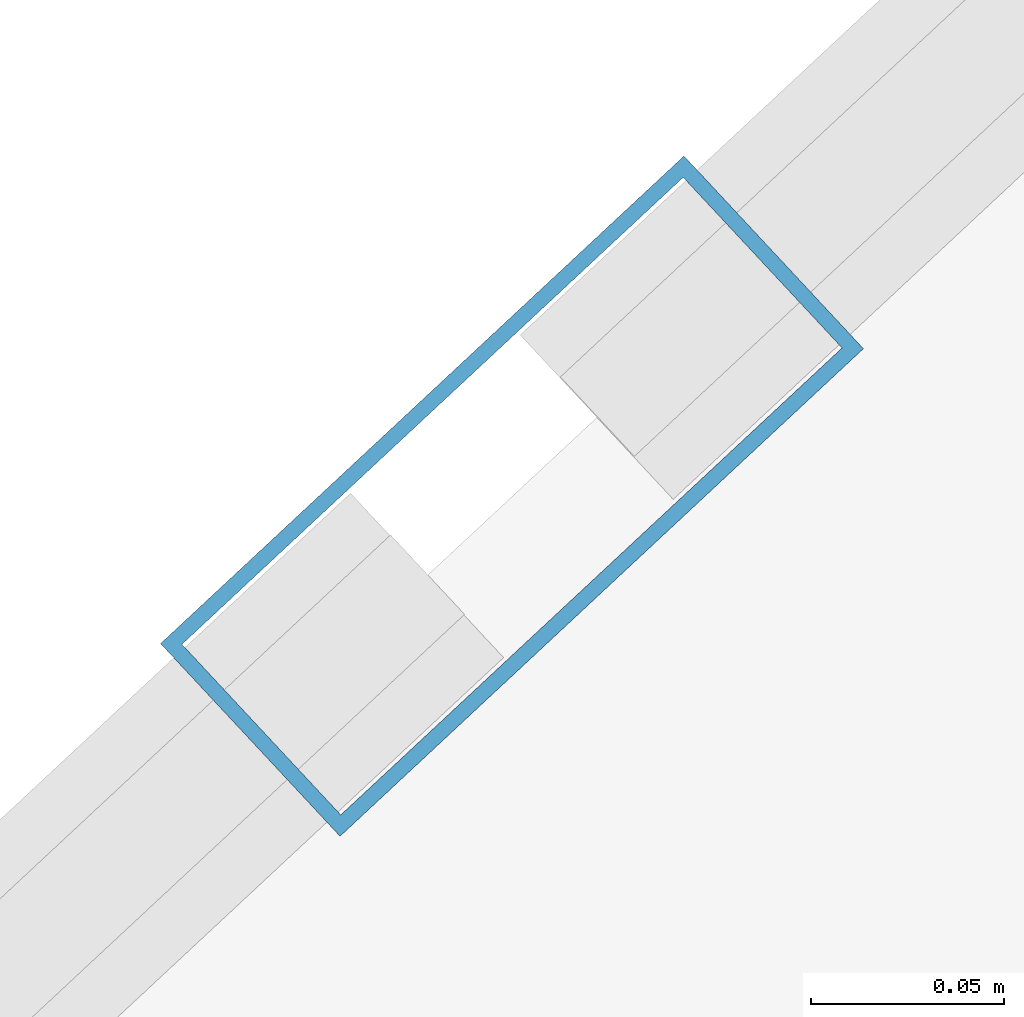
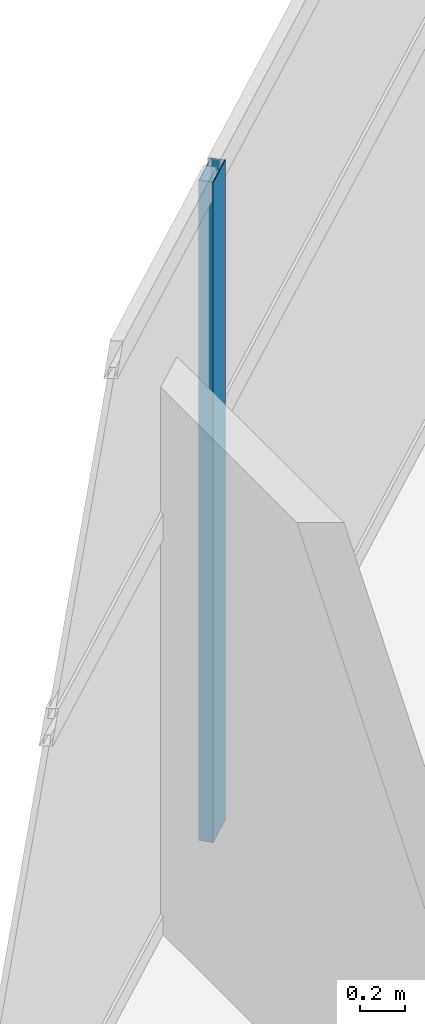
# One storey, part 12 of 27: 1 member, 1 element without a shape of its own.
"""IFC4 building model written with IfcOpenShell, lengths in metres."""

from ifc_helpers import new_model, si_unit, direction, frame, origin, origin_2d, place, context, subcontext, project, spatial, hollow_rectangle, extrude, material, layer, layer_set, material_profile, profile_set, type_object, element, aggregate, save


model = new_model("IFC4")

# Units and contexts
model_context = context("Model", 3, precision=1e-05, world=origin(), true_north=direction((0.0, 1.0)))
body_context = subcontext(model_context, "Body", "Model", "MODEL_VIEW")
ifc_project = project(units=[si_unit("LENGTHUNIT", "METRE"), si_unit("AREAUNIT", "SQUARE_METRE"), si_unit("VOLUMEUNIT", "CUBIC_METRE"), si_unit("PLANEANGLEUNIT", "RADIAN"), si_unit("MASSUNIT", "GRAM", prefix="KILO")], contexts=[model_context])

# Site, building, storey
site_placement = place(None, origin())
site = spatial("IfcSite", under=ifc_project, at=site_placement, CompositionType="ELEMENT")
building_placement = place(site_placement, origin())
building = spatial("IfcBuilding", under=site, at=building_placement, Name="Calvorn Quay Hotel", CompositionType="ELEMENT")
storey_placement = place(building_placement, frame((0.0, 0.0, 223.10009765625)))
storey = spatial("IfcBuildingStorey", under=building, at=storey_placement, Name="L55", CompositionType="ELEMENT", Elevation=223.10009765625)

# Curtain wall, member
ifc_material_1 = material(Name="Champagne Bronze Anodised Aluminium and Low-E Glass", Category="aluminium")
ifc_layer = layer(ifc_material_1, 0.219970703125)
ifc_layer_set = layer_set([ifc_layer], Name="CW-SYS-Z3")
curtain_wall_type = type_object("IfcCurtainWallType", Name="CW-SYS-Z3", PredefinedType="NOTDEFINED", material=ifc_layer_set)
curtain_wall_placement = place(storey_placement, origin())
curtain_wall = element("IfcCurtainWall", 1, at=curtain_wall_placement, inside=storey, type_object=curtain_wall_type, Name="Inner Court Curtain Wall L55-NE1", PredefinedType="NOTDEFINED")
ifc_material_2 = material(Name="Champagne Bronze Anodised Aluminium 6063-T6", Category="aluminium")
ifc_material_profile = material_profile(ifc_material_2, hollow_rectangle(XDim=0.068115234375, YDim=0.18505859375, WallThickness=0.00390625, at=origin_2d()), Name="ALU-M185x68x4")
ifc_profile_set = profile_set([ifc_material_profile], Name="Champagne Bronze Anodised Aluminium 6063-T6")
member_type = type_object("IfcMemberType", Name="CW-SYS-Z3-MUL", PredefinedType="MULLION", material=ifc_profile_set)
member_placement = place(storey_placement, frame((28.89990234375, 31.199951171875, 0.0), z_axis=(0.0, 0.0, 1.0), x_axis=(0.681603655102, -0.731721570922, 0.0)))
member = element("IfcMember", 2, at=member_placement, type_object=member_type, Name="CW-L55-NE1 mullion 2", PredefinedType="MULLION", context=body_context, shape_type="SweptSolid", body=[
    extrude(hollow_rectangle(XDim=0.068115234375, YDim=0.18505859375, WallThickness=0.00390625, at=origin_2d()), origin(), (0.0, 0.0, 1.0), 3.559814453125),
])
aggregate(curtain_wall, [member])

save(model, "model.ifc")
